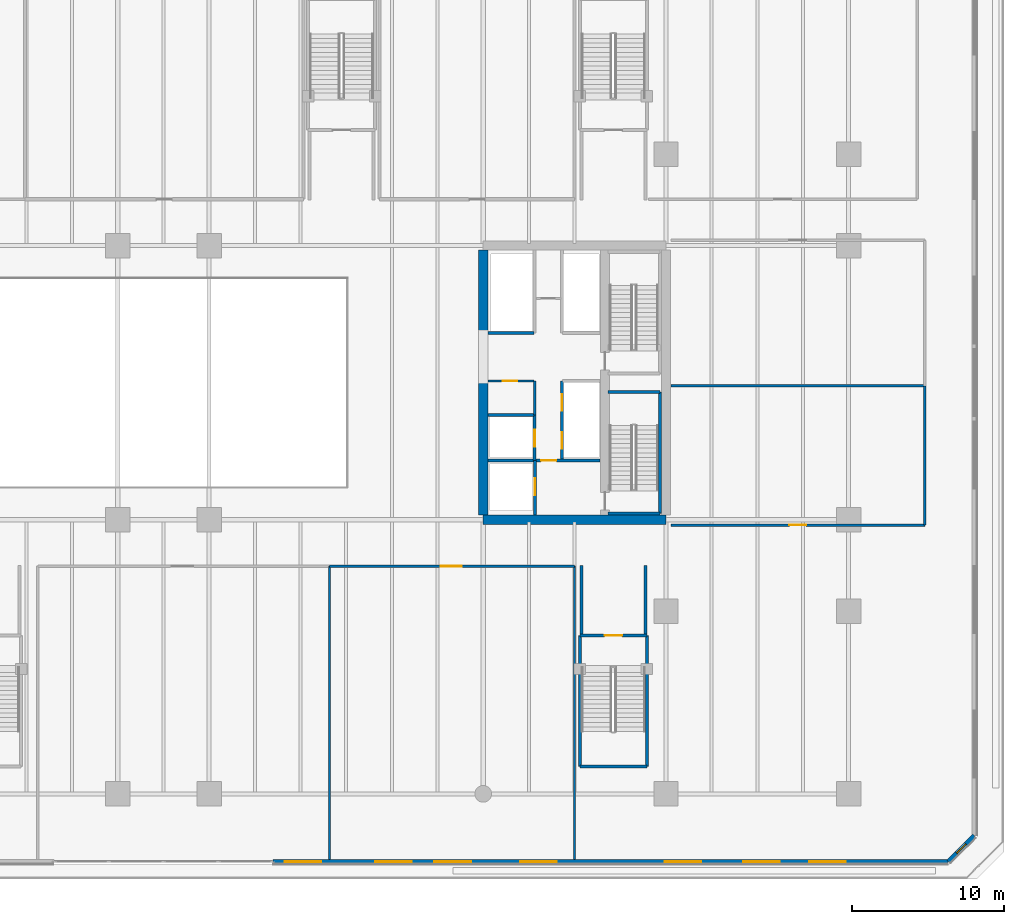
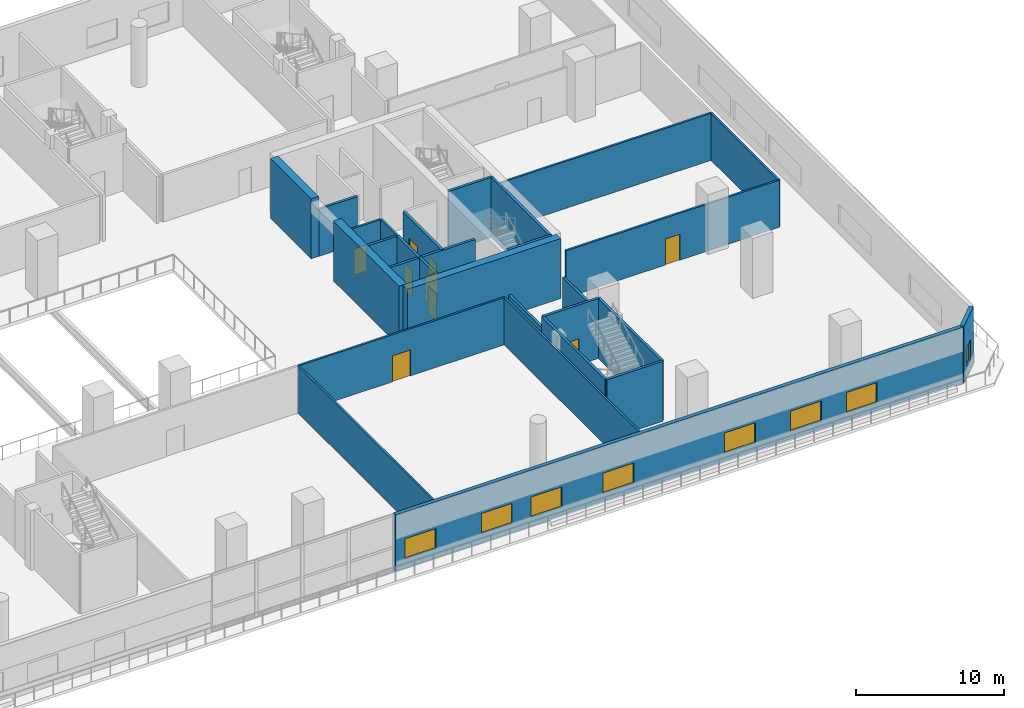
# One storey, part 14 of 27: 28 walls, 9 doors, 8 windows, 17 openings.
"""IFC4 building model written with IfcOpenShell, lengths in metres."""

from ifc_helpers import new_model, si_unit, direction, frame, frame_2d, origin, place, context, subcontext, project, spatial, rectangle, extrude, material, layer, layer_set, type_object, element, fill, save


model = new_model("IFC4")

# Units and contexts
model_context = context("Model", 3, precision=1e-05, world=origin(), true_north=direction((0.0, 1.0)))
body_context = subcontext(model_context, "Body", "Model", "MODEL_VIEW")
ifc_project = project(units=[si_unit("LENGTHUNIT", "METRE"), si_unit("AREAUNIT", "SQUARE_METRE"), si_unit("VOLUMEUNIT", "CUBIC_METRE"), si_unit("PLANEANGLEUNIT", "RADIAN"), si_unit("MASSUNIT", "GRAM", prefix="KILO")], contexts=[model_context])

# Site, building, storey
site_placement = place(None, origin())
site = spatial("IfcSite", under=ifc_project, at=site_placement, CompositionType="ELEMENT")
building_placement = place(site_placement, origin())
building = spatial("IfcBuilding", under=site, at=building_placement, Name="Tanjung Sevakor Pilgrim Tower", CompositionType="ELEMENT")
storey_placement = place(building_placement, frame((0.0, 0.0, 9.89990234375)))
storey = spatial("IfcBuildingStorey", under=building, at=storey_placement, Name="L03", CompositionType="ELEMENT", Elevation=9.89990234375)

# Walls
ifc_material_1 = material(Name="Concrete C60/75", Category="concrete")
ifc_layer_1 = layer(ifc_material_1, 0.60009765625)
ifc_layer_set_1 = layer_set([ifc_layer_1], Name="WALL-CW-600")
wall_type_1 = type_object("IfcWallType", Name="WALL-CW-600", PredefinedType="SHEAR", material=ifc_layer_set_1)
wall_1_placement = place(storey_placement, frame((78.0, 24.60009765625, 0.0), z_axis=(0.0, 0.0, 1.0), x_axis=(1.0, 0.0, 0.0)))
element("IfcWall", 1, at=wall_1_placement, inside=storey, type_object=wall_type_1, Name="L03 E Core South Shear Wall", PredefinedType="SHEAR", context=body_context, shape_type="SweptSolid", body=[
    extrude(rectangle(XDim=12.0, YDim=0.60009765625, at=frame_2d((6.0, 0.0))), origin(), (0.0, 0.0, 1.0), 4.9501953125),
])
wall_2_placement = place(storey_placement, frame((78.0, 24.89990234375, 0.0), z_axis=(0.0, 0.0, 1.0), x_axis=(0.0, 1.0, 0.0)))
element("IfcWall", 2, at=wall_2_placement, inside=storey, type_object=wall_type_1, Name="L03 E Core Inner Shear Wall South", PredefinedType="SHEAR", context=body_context, shape_type="SweptSolid", body=[
    extrude(rectangle(XDim=8.900146484375, YDim=0.60009765625, at=frame_2d((4.4501953125, 0.0))), origin(), (0.0, 0.0, 1.0), 4.9501953125),
])
wall_3_placement = place(storey_placement, frame((78.0, 36.800048828125, 0.0), z_axis=(0.0, 0.0, 1.0), x_axis=(0.0, 1.0, 0.0)))
element("IfcWall", 3, at=wall_3_placement, inside=storey, type_object=wall_type_1, Name="L03 E Core Inner Shear Wall North", PredefinedType="SHEAR", context=body_context, shape_type="SweptSolid", body=[
    extrude(rectangle(XDim=5.5, YDim=0.60009765625, at=frame_2d((2.75, 0.0))), origin(), (0.0, 0.0, 1.0), 4.9501953125),
])
ifc_material_2 = material(Name="Concrete C40/50", Category="concrete")
ifc_layer_2 = layer(ifc_material_2, 0.14990234375)
ifc_layer_set_2 = layer_set([ifc_layer_2], Name="WT-COMP-150")
wall_type_2 = type_object("IfcWallType", Name="WT-COMP-150", PredefinedType="SOLIDWALL", material=ifc_layer_set_2)
wall_4_placement = place(storey_placement, frame((81.3798828125, 31.47998046875, 0.0), z_axis=(0.0, 0.0, 1.0), x_axis=(0.0, 1.0, 0.0)))
element("IfcWall", 4, at=wall_4_placement, inside=storey, type_object=wall_type_2, Name="L03 Partition IW-L03-021", PredefinedType="SOLIDWALL", context=body_context, shape_type="SweptSolid", body=[
    extrude(rectangle(XDim=2.239990234375, YDim=0.14990234375, at=frame_2d((1.1201171875, 0.0))), origin(), (0.0, 0.0, 1.0), 3.889892578125),
])

# Wall, opening, door
wall_5_placement = place(storey_placement, frame((78.320068359375, 33.719970703125, 0.0), z_axis=(0.0, 0.0, 1.0), x_axis=(1.0, 0.0, 0.0)))
wall_5 = element("IfcWall", 5, at=wall_5_placement, inside=storey, type_object=wall_type_2, Name="L03 Partition IW-L03-022", PredefinedType="SOLIDWALL", context=body_context, shape_type="SweptSolid", body=[
    extrude(rectangle(XDim=3.0, YDim=0.14990234375, at=frame_2d((1.5, 0.0))), origin(), (0.0, 0.0, 1.0), 3.889892578125),
])
opening_1_placement = place(wall_5_placement, frame((0.949951171875, 0.0, 0.0)))
opening_1 = element("IfcOpeningElement", 6, at=opening_1_placement, cuts=wall_5, Name="Opening ID-FD2", PredefinedType="OPENING", context=body_context, shape_type="SweptSolid", body=[
    extrude(rectangle(XDim=0.949951171875, YDim=2.14990234375, at=frame_2d((0.47509765625, 1.074951171875))), frame((0.0, 0.0849609375, 0.0), z_axis=(0.0, -1.0, 0.0), x_axis=(1.0, 0.0, 0.0)), (0.0, 0.0, 1.0), 0.169921875),
])
ifc_material_3 = material(Name="Fire-Rated Timber", Category="wood")
door_type_1 = type_object("IfcDoorType", Name="DT-FIRE-950", OperationType="NOTDEFINED", PredefinedType="DOOR", material=ifc_material_3)
door_1_placement = place(opening_1_placement, origin())
door_1 = element("IfcDoor", 7, at=door_1_placement, inside=storey, type_object=door_type_1, Name="L03 Accessible WC Door", OperationType="SINGLE_SWING_LEFT", OverallHeight=2.14990234375, OverallWidth=0.949951171875, PredefinedType="DOOR", context=body_context, shape_type="SweptSolid", body=[
    extrude(rectangle(XDim=0.949951171875, YDim=2.14990234375, at=frame_2d((0.47509765625, 1.074951171875))), frame((0.0, 0.02490234375, 0.0), z_axis=(0.0, -1.0, 0.0), x_axis=(1.0, 0.0, 0.0)), (0.0, 0.0, 1.0), 0.050048828125),
])
fill(opening_1, door_1)

# Wall
wall_6_placement = place(storey_placement, frame((67.89990234375, 2.300048828125, 0.0), z_axis=(0.0, 0.0, 1.0), x_axis=(0.0, 1.0, 0.0)))
element("IfcWall", 8, at=wall_6_placement, inside=storey, type_object=wall_type_2, Name="L03 Partition IW-L03-046", PredefinedType="SOLIDWALL", context=body_context, shape_type="SweptSolid", body=[
    extrude(rectangle(XDim=19.25, YDim=0.14990234375, at=frame_2d((9.625, 0.0))), origin(), (0.0, 0.0, 1.0), 3.889892578125),
])

# Wall, opening, door
wall_7_placement = place(storey_placement, frame((67.89990234375, 21.550048828125, 0.0), z_axis=(0.0, 0.0, 1.0), x_axis=(1.0, 0.0, 0.0)))
wall_7 = element("IfcWall", 9, at=wall_7_placement, inside=storey, type_object=wall_type_2, Name="L03 Partition IW-L03-047", PredefinedType="SOLIDWALL", context=body_context, shape_type="SweptSolid", body=[
    extrude(rectangle(XDim=16.10009765625, YDim=0.14990234375, at=frame_2d((8.050048828125, 0.0))), origin(), (0.0, 0.0, 1.0), 3.889892578125),
])
opening_2_placement = place(wall_7_placement, frame((7.300048828125, 0.0, 0.0)))
opening_2 = element("IfcOpeningElement", 10, at=opening_2_placement, cuts=wall_7, Name="Opening ID-HD1", PredefinedType="OPENING", context=body_context, shape_type="SweptSolid", body=[
    extrude(rectangle(XDim=1.39990234375, YDim=2.14990234375, at=frame_2d((0.699951171875, 1.074951171875))), frame((0.0, 0.0849609375, 0.0), z_axis=(0.0, -1.0, 0.0), x_axis=(1.0, 0.0, 0.0)), (0.0, 0.0, 1.0), 0.169921875),
])
ifc_material_4 = material(Name="Hardwood Timber", Category="wood")
door_type_2 = type_object("IfcDoorType", Name="DT-INT-1400", OperationType="DOUBLE_DOOR_SINGLE_SWING", PredefinedType="DOOR", material=ifc_material_4)
door_2_placement = place(opening_2_placement, origin())
door_2 = element("IfcDoor", 11, at=door_2_placement, inside=storey, type_object=door_type_2, Name="L03 Banquet Door", OperationType="SINGLE_SWING_LEFT", OverallHeight=2.14990234375, OverallWidth=1.39990234375, PredefinedType="DOOR", context=body_context, shape_type="SweptSolid", body=[
    extrude(rectangle(XDim=1.39990234375, YDim=2.14990234375, at=frame_2d((0.699951171875, 1.074951171875))), frame((0.0, 0.02490234375, 0.0), z_axis=(0.0, -1.0, 0.0), x_axis=(1.0, 0.0, 0.0)), (0.0, 0.0, 1.0), 0.050048828125),
])
fill(opening_2, door_2)

# Wall
wall_8_placement = place(storey_placement, frame((84.0, 2.300048828125, 0.0), z_axis=(0.0, 0.0, 1.0), x_axis=(0.0, 1.0, 0.0)))
element("IfcWall", 12, at=wall_8_placement, inside=storey, type_object=wall_type_2, Name="L03 Partition IW-L03-048", PredefinedType="SOLIDWALL", context=body_context, shape_type="SweptSolid", body=[
    extrude(rectangle(XDim=19.25, YDim=0.14990234375, at=frame_2d((9.625, 0.0))), origin(), (0.0, 0.0, 1.0), 3.889892578125),
])

# Wall, opening, door
wall_9_placement = place(storey_placement, frame((90.320068359375, 24.25, 0.0), z_axis=(0.0, 0.0, 1.0), x_axis=(1.0, 0.0, 0.0)))
wall_9 = element("IfcWall", 13, at=wall_9_placement, inside=storey, type_object=wall_type_2, Name="L03 Partition IW-L03-057", PredefinedType="SOLIDWALL", context=body_context, shape_type="SweptSolid", body=[
    extrude(rectangle(XDim=16.679931640625, YDim=0.14990234375, at=frame_2d((8.33984375, 0.0))), origin(), (0.0, 0.0, 1.0), 3.889892578125),
])
opening_3_placement = place(wall_9_placement, frame((7.7900390625, 0.0, 0.0)))
opening_3 = element("IfcOpeningElement", 14, at=opening_3_placement, cuts=wall_9, Name="Opening ID-RM2", PredefinedType="OPENING", context=body_context, shape_type="SweptSolid", body=[
    extrude(rectangle(XDim=1.10009765625, YDim=2.14990234375, at=frame_2d((0.550048828125, 1.074951171875))), frame((0.0, 0.0849609375, 0.0), z_axis=(0.0, -1.0, 0.0), x_axis=(1.0, 0.0, 0.0)), (0.0, 0.0, 1.0), 0.169921875),
])
ifc_material_5 = material(Name="Hardwood Timber", Category="wood")
door_type_3 = type_object("IfcDoorType", Name="DT-INT-1100", OperationType="NOTDEFINED", PredefinedType="DOOR", material=ifc_material_5)
door_3_placement = place(opening_3_placement, origin())
door_3 = element("IfcDoor", 15, at=door_3_placement, inside=storey, type_object=door_type_3, Name="L03 Meeting Room 1 Door", OperationType="SINGLE_SWING_LEFT", OverallHeight=2.14990234375, OverallWidth=1.10009765625, PredefinedType="DOOR", context=body_context, shape_type="SweptSolid", body=[
    extrude(rectangle(XDim=1.10009765625, YDim=2.14990234375, at=frame_2d((0.550048828125, 1.074951171875))), frame((0.0, 0.02490234375, 0.0), z_axis=(0.0, -1.0, 0.0), x_axis=(1.0, 0.0, 0.0)), (0.0, 0.0, 1.0), 0.050048828125),
])
fill(opening_3, door_3)

# Walls
wall_10_placement = place(storey_placement, frame((90.320068359375, 33.39990234375, 0.0), z_axis=(0.0, 0.0, 1.0), x_axis=(1.0, 0.0, 0.0)))
element("IfcWall", 16, at=wall_10_placement, inside=storey, type_object=wall_type_2, Name="L03 Partition IW-L03-058", PredefinedType="SOLIDWALL", context=body_context, shape_type="SweptSolid", body=[
    extrude(rectangle(XDim=16.679931640625, YDim=0.14990234375, at=frame_2d((8.33984375, 0.0))), origin(), (0.0, 0.0, 1.0), 3.889892578125),
])
wall_11_placement = place(storey_placement, frame((107.0, 24.25, 0.0), z_axis=(0.0, 0.0, 1.0), x_axis=(0.0, 1.0, 0.0)))
element("IfcWall", 17, at=wall_11_placement, inside=storey, type_object=wall_type_2, Name="L03 Partition IW-L03-059", PredefinedType="SOLIDWALL", context=body_context, shape_type="SweptSolid", body=[
    extrude(rectangle(XDim=9.14990234375, YDim=0.14990234375, at=frame_2d((4.574951171875, 0.0))), origin(), (0.0, 0.0, 1.0), 3.889892578125),
])

# Wall, openings, windows
ifc_material_6 = material(Name="Precast concrete C45/55", Category="concrete")
ifc_layer_3 = layer(ifc_material_6, 0.300048828125)
ifc_layer_set_3 = layer_set([ifc_layer_3], Name="WT-EW-STN1")
wall_type_3 = type_object("IfcWallType", Name="WT-EW-STN1", PredefinedType="SOLIDWALL", material=ifc_layer_set_3)
wall_12_placement = place(storey_placement, frame((64.199951171875, 2.14990234375, 0.0), z_axis=(0.0, 0.0, 1.0), x_axis=(1.0, 0.0, 0.0)))
wall_12 = element("IfcWall", 18, at=wall_12_placement, inside=storey, type_object=wall_type_3, Name="L03 Cascading Podium Limestone Wall S2", PredefinedType="SOLIDWALL", context=body_context, shape_type="SweptSolid", body=[
    extrude(rectangle(XDim=44.337890625, YDim=0.300048828125, at=frame_2d((22.1689453125, 0.0))), origin(), (0.0, 0.0, 1.0), 4.669921875),
])
opening_4_placement = place(wall_12_placement, frame((0.760009765625, 0.0, 0.780029296875)))
opening_4 = element("IfcOpeningElement", 19, at=opening_4_placement, cuts=wall_12, Name="Opening WN-P1-1660", PredefinedType="OPENING", context=body_context, shape_type="SweptSolid", body=[
    extrude(rectangle(XDim=2.39990234375, YDim=1.659912109375, at=frame_2d((1.199951171875, 0.830078125))), frame((0.0, 0.159912109375, 0.0), z_axis=(0.0, -1.0, 0.0), x_axis=(1.0, 0.0, 0.0)), (0.0, 0.0, 1.0), 0.320068359375),
])
opening_5_placement = place(wall_12_placement, frame((10.60009765625, 0.0, 0.780029296875)))
opening_5 = element("IfcOpeningElement", 20, at=opening_5_placement, cuts=wall_12, Name="Opening WN-P1-1660", PredefinedType="OPENING", context=body_context, shape_type="SweptSolid", body=[
    extrude(rectangle(XDim=2.39990234375, YDim=1.659912109375, at=frame_2d((1.199951171875, 0.830078125))), frame((0.0, 0.159912109375, 0.0), z_axis=(0.0, -1.0, 0.0), x_axis=(1.0, 0.0, 0.0)), (0.0, 0.0, 1.0), 0.320068359375),
])
opening_6_placement = place(wall_12_placement, frame((30.868896484375, 0.0, 0.780029296875)))
opening_6 = element("IfcOpeningElement", 21, at=opening_6_placement, cuts=wall_12, Name="Opening WN-P1-1660", PredefinedType="OPENING", context=body_context, shape_type="SweptSolid", body=[
    extrude(rectangle(XDim=2.39990234375, YDim=1.659912109375, at=frame_2d((1.199951171875, 0.830078125))), frame((0.0, 0.159912109375, 0.0), z_axis=(0.0, -1.0, 0.0), x_axis=(1.0, 0.0, 0.0)), (0.0, 0.0, 1.0), 0.320068359375),
])
opening_7_placement = place(wall_12_placement, frame((6.718994140625, 0.0, 0.780029296875)))
opening_7 = element("IfcOpeningElement", 22, at=opening_7_placement, cuts=wall_12, Name="Opening WN-P1-1660", PredefinedType="OPENING", context=body_context, shape_type="SweptSolid", body=[
    extrude(rectangle(XDim=2.39990234375, YDim=1.659912109375, at=frame_2d((1.199951171875, 0.830078125))), frame((0.0, 0.159912109375, 0.0), z_axis=(0.0, -1.0, 0.0), x_axis=(1.0, 0.0, 0.0)), (0.0, 0.0, 1.0), 0.320068359375),
])
opening_8_placement = place(wall_12_placement, frame((16.218994140625, 0.0, 0.780029296875)))
opening_8 = element("IfcOpeningElement", 23, at=opening_8_placement, cuts=wall_12, Name="Opening WN-P1-1660", PredefinedType="OPENING", context=body_context, shape_type="SweptSolid", body=[
    extrude(rectangle(XDim=2.39990234375, YDim=1.659912109375, at=frame_2d((1.199951171875, 0.830078125))), frame((0.0, 0.159912109375, 0.0), z_axis=(0.0, -1.0, 0.0), x_axis=(1.0, 0.0, 0.0)), (0.0, 0.0, 1.0), 0.320068359375),
])
opening_9_placement = place(wall_12_placement, frame((25.718994140625, 0.0, 0.780029296875)))
opening_9 = element("IfcOpeningElement", 24, at=opening_9_placement, cuts=wall_12, Name="Opening WN-P1-1660", PredefinedType="OPENING", context=body_context, shape_type="SweptSolid", body=[
    extrude(rectangle(XDim=2.39990234375, YDim=1.659912109375, at=frame_2d((1.199951171875, 0.830078125))), frame((0.0, 0.159912109375, 0.0), z_axis=(0.0, -1.0, 0.0), x_axis=(1.0, 0.0, 0.0)), (0.0, 0.0, 1.0), 0.320068359375),
])
opening_10_placement = place(wall_12_placement, frame((35.218994140625, 0.0, 0.780029296875)))
opening_10 = element("IfcOpeningElement", 25, at=opening_10_placement, cuts=wall_12, Name="Opening WN-P1-1660", PredefinedType="OPENING", context=body_context, shape_type="SweptSolid", body=[
    extrude(rectangle(XDim=2.39990234375, YDim=1.659912109375, at=frame_2d((1.199951171875, 0.830078125))), frame((0.0, 0.159912109375, 0.0), z_axis=(0.0, -1.0, 0.0), x_axis=(1.0, 0.0, 0.0)), (0.0, 0.0, 1.0), 0.320068359375),
])
ifc_material_7 = material(Name="Thermally Broken Aluminium and Low-E Glass", Category="aluminium")
window_type_1 = type_object("IfcWindowType", Name="WTYP-WN-P1-1660", PartitioningType="DOUBLE_PANEL_VERTICAL", PredefinedType="WINDOW", material=ifc_material_7)
window_1_placement = place(opening_4_placement, origin())
window_1 = element("IfcWindow", 26, at=window_1_placement, inside=storey, type_object=window_type_1, Name="L03 Facade Window 01", OverallHeight=1.659912109375, OverallWidth=2.39990234375, PartitioningType="SINGLE_PANEL", PredefinedType="WINDOW", context=body_context, shape_type="SweptSolid", body=[
    extrude(rectangle(XDim=2.39990234375, YDim=1.659912109375, at=frame_2d((1.199951171875, 0.830078125))), frame((0.0, 0.030029296875, 0.0), z_axis=(0.0, -1.0, 0.0), x_axis=(1.0, 0.0, 0.0)), (0.0, 0.0, 1.0), 0.06005859375),
])
fill(opening_4, window_1)
window_2_placement = place(opening_5_placement, origin())
window_2 = element("IfcWindow", 27, at=window_2_placement, inside=storey, type_object=window_type_1, Name="L03 Facade Window 02", OverallHeight=1.659912109375, OverallWidth=2.39990234375, PartitioningType="SINGLE_PANEL", PredefinedType="WINDOW", context=body_context, shape_type="SweptSolid", body=[
    extrude(rectangle(XDim=2.39990234375, YDim=1.659912109375, at=frame_2d((1.199951171875, 0.830078125))), frame((0.0, 0.030029296875, 0.0), z_axis=(0.0, -1.0, 0.0), x_axis=(1.0, 0.0, 0.0)), (0.0, 0.0, 1.0), 0.06005859375),
])
fill(opening_5, window_2)
window_3_placement = place(opening_6_placement, origin())
window_3 = element("IfcWindow", 28, at=window_3_placement, inside=storey, type_object=window_type_1, Name="L03 Facade Window 03", OverallHeight=1.659912109375, OverallWidth=2.39990234375, PartitioningType="SINGLE_PANEL", PredefinedType="WINDOW", context=body_context, shape_type="SweptSolid", body=[
    extrude(rectangle(XDim=2.39990234375, YDim=1.659912109375, at=frame_2d((1.199951171875, 0.830078125))), frame((0.0, 0.030029296875, 0.0), z_axis=(0.0, -1.0, 0.0), x_axis=(1.0, 0.0, 0.0)), (0.0, 0.0, 1.0), 0.06005859375),
])
fill(opening_6, window_3)
window_4_placement = place(opening_7_placement, origin())
window_4 = element("IfcWindow", 29, at=window_4_placement, inside=storey, type_object=window_type_1, Name="L03 Facade Window 04", OverallHeight=1.659912109375, OverallWidth=2.39990234375, PartitioningType="SINGLE_PANEL", PredefinedType="WINDOW", context=body_context, shape_type="SweptSolid", body=[
    extrude(rectangle(XDim=2.39990234375, YDim=1.659912109375, at=frame_2d((1.199951171875, 0.830078125))), frame((0.0, 0.030029296875, 0.0), z_axis=(0.0, -1.0, 0.0), x_axis=(1.0, 0.0, 0.0)), (0.0, 0.0, 1.0), 0.06005859375),
])
fill(opening_7, window_4)
window_5_placement = place(opening_8_placement, origin())
window_5 = element("IfcWindow", 30, at=window_5_placement, inside=storey, type_object=window_type_1, Name="L03 Facade Window 05", OverallHeight=1.659912109375, OverallWidth=2.39990234375, PartitioningType="SINGLE_PANEL", PredefinedType="WINDOW", context=body_context, shape_type="SweptSolid", body=[
    extrude(rectangle(XDim=2.39990234375, YDim=1.659912109375, at=frame_2d((1.199951171875, 0.830078125))), frame((0.0, 0.030029296875, 0.0), z_axis=(0.0, -1.0, 0.0), x_axis=(1.0, 0.0, 0.0)), (0.0, 0.0, 1.0), 0.06005859375),
])
fill(opening_8, window_5)
window_6_placement = place(opening_9_placement, origin())
window_6 = element("IfcWindow", 31, at=window_6_placement, inside=storey, type_object=window_type_1, Name="L03 Facade Window 06", OverallHeight=1.659912109375, OverallWidth=2.39990234375, PartitioningType="SINGLE_PANEL", PredefinedType="WINDOW", context=body_context, shape_type="SweptSolid", body=[
    extrude(rectangle(XDim=2.39990234375, YDim=1.659912109375, at=frame_2d((1.199951171875, 0.830078125))), frame((0.0, 0.030029296875, 0.0), z_axis=(0.0, -1.0, 0.0), x_axis=(1.0, 0.0, 0.0)), (0.0, 0.0, 1.0), 0.06005859375),
])
fill(opening_9, window_6)
window_7_placement = place(opening_10_placement, origin())
window_7 = element("IfcWindow", 32, at=window_7_placement, inside=storey, type_object=window_type_1, Name="L03 Facade Window 07", OverallHeight=1.659912109375, OverallWidth=2.39990234375, PartitioningType="SINGLE_PANEL", PredefinedType="WINDOW", context=body_context, shape_type="SweptSolid", body=[
    extrude(rectangle(XDim=2.39990234375, YDim=1.659912109375, at=frame_2d((1.199951171875, 0.830078125))), frame((0.0, 0.030029296875, 0.0), z_axis=(0.0, -1.0, 0.0), x_axis=(1.0, 0.0, 0.0)), (0.0, 0.0, 1.0), 0.06005859375),
])
fill(opening_10, window_7)

# Wall, opening, window
wall_13_placement = place(storey_placement, frame((108.537841796875, 2.14990234375, 0.0), z_axis=(0.0, 0.0, 1.0), x_axis=(0.707106781187, 0.707106781187, 0.0)))
wall_13 = element("IfcWall", 33, at=wall_13_placement, inside=storey, type_object=wall_type_3, Name="L03 MAIN Exterior Wall 2", PredefinedType="SOLIDWALL", context=body_context, shape_type="SweptSolid", body=[
    extrude(rectangle(XDim=2.42138671875, YDim=0.300048828125, at=frame_2d((1.210693359375, 0.0))), origin(), (0.0, 0.0, 1.0), 4.669921875),
])
opening_11_placement = place(wall_13_placement, frame((0.78564453125, 0.0, 0.780029296875)))
opening_11 = element("IfcOpeningElement", 34, at=opening_11_placement, cuts=wall_13, Name="Opening WN-SLM", PredefinedType="OPENING", context=body_context, shape_type="SweptSolid", body=[
    extrude(rectangle(XDim=0.85009765625, YDim=1.64990234375, at=frame_2d((0.425048828125, 0.824951171875))), frame((0.0, 0.159912109375, 0.0), z_axis=(0.0, -1.0, 0.0), x_axis=(1.0, 0.0, 0.0)), (0.0, 0.0, 1.0), 0.320068359375),
])
ifc_material_8 = material(Name="Thermally Broken Aluminium and Low-E Glass", Category="aluminium")
window_type_2 = type_object("IfcWindowType", Name="WTYP-WN-SLM", PartitioningType="SINGLE_PANEL", PredefinedType="WINDOW", material=ifc_material_8)
window_8_placement = place(opening_11_placement, origin())
window_8 = element("IfcWindow", 35, at=window_8_placement, inside=storey, type_object=window_type_2, Name="L03 Facade Window 01", OverallHeight=1.64990234375, OverallWidth=0.85009765625, PartitioningType="SINGLE_PANEL", PredefinedType="WINDOW", context=body_context, shape_type="SweptSolid", body=[
    extrude(rectangle(XDim=0.85009765625, YDim=1.64990234375, at=frame_2d((0.425048828125, 0.824951171875))), frame((0.0, 0.030029296875, 0.0), z_axis=(0.0, -1.0, 0.0), x_axis=(1.0, 0.0, 0.0)), (0.0, 0.0, 1.0), 0.06005859375),
])
fill(opening_11, window_8)

# Walls
ifc_material_9 = material(Name="Concrete C40/50", Category="concrete")
ifc_layer_4 = layer(ifc_material_9, 0.199951171875)
ifc_layer_set_4 = layer_set([ifc_layer_4], Name="WT-FIRE-200")
wall_type_4 = type_object("IfcWallType", Name="WT-FIRE-200", PredefinedType="SOLIDWALL", material=ifc_layer_set_4)
wall_14_placement = place(storey_placement, frame((86.199951171875, 25.0, 0.0), z_axis=(0.0, 0.0, 1.0), x_axis=(1.0, 0.0, 0.0)))
element("IfcWall", 36, at=wall_14_placement, inside=storey, type_object=wall_type_4, Name="L03 TS-E1 Shaft Wall 1", PredefinedType="SOLIDWALL", context=body_context, shape_type="SweptSolid", body=[
    extrude(rectangle(XDim=3.400146484375, YDim=0.199951171875, at=frame_2d((1.7001953125, 0.0))), origin(), (0.0, 0.0, 1.0), 4.9501953125),
])
wall_15_placement = place(storey_placement, frame((89.60009765625, 25.0, 0.0), z_axis=(0.0, 0.0, 1.0), x_axis=(0.0, 1.0, 0.0)))
element("IfcWall", 37, at=wall_15_placement, inside=storey, type_object=wall_type_4, Name="L03 TS-E1 Shaft Wall 2", PredefinedType="SOLIDWALL", context=body_context, shape_type="SweptSolid", body=[
    extrude(rectangle(XDim=8.0, YDim=0.199951171875, at=frame_2d((4.0, 0.0))), origin(), (0.0, 0.0, 1.0), 4.9501953125),
])
wall_16_placement = place(storey_placement, frame((89.60009765625, 33.0, 0.0), z_axis=(0.0, 0.0, 1.0), x_axis=(-1.0, 0.0, 0.0)))
element("IfcWall", 38, at=wall_16_placement, inside=storey, type_object=wall_type_4, Name="L03 TS-E1 Shaft Wall 3", PredefinedType="SOLIDWALL", context=body_context, shape_type="SweptSolid", body=[
    extrude(rectangle(XDim=3.400146484375, YDim=0.199951171875, at=frame_2d((1.7001953125, 0.0))), origin(), (0.0, 0.0, 1.0), 4.9501953125),
])
wall_17_placement = place(storey_placement, frame((84.35009765625, 8.39990234375, 0.0), z_axis=(0.0, 0.0, 1.0), x_axis=(1.0, 0.0, 0.0)))
element("IfcWall", 39, at=wall_17_placement, inside=storey, type_object=wall_type_4, Name="L03 PS-5 Shaft Wall 1", PredefinedType="SOLIDWALL", context=body_context, shape_type="SweptSolid", body=[
    extrude(rectangle(XDim=4.39990234375, YDim=0.199951171875, at=frame_2d((2.199951171875, 0.0))), origin(), (0.0, 0.0, 1.0), 4.9501953125),
])
wall_18_placement = place(storey_placement, frame((88.75, 8.39990234375, 0.0), z_axis=(0.0, 0.0, 1.0), x_axis=(0.0, 1.0, 0.0)))
element("IfcWall", 40, at=wall_18_placement, inside=storey, type_object=wall_type_4, Name="L03 PS-5 Shaft Wall 2", PredefinedType="SOLIDWALL", context=body_context, shape_type="SweptSolid", body=[
    extrude(rectangle(XDim=8.60009765625, YDim=0.199951171875, at=frame_2d((4.300048828125, 0.0))), origin(), (0.0, 0.0, 1.0), 4.9501953125),
])

# Wall, opening, door
wall_19_placement = place(storey_placement, frame((88.75, 17.0, 0.0), z_axis=(0.0, 0.0, 1.0), x_axis=(-1.0, 0.0, 0.0)))
wall_19 = element("IfcWall", 41, at=wall_19_placement, inside=storey, type_object=wall_type_4, Name="L03 PS-5 Shaft Wall 3", PredefinedType="SOLIDWALL", context=body_context, shape_type="SweptSolid", body=[
    extrude(rectangle(XDim=4.39990234375, YDim=0.199951171875, at=frame_2d((2.199951171875, 0.0))), origin(), (0.0, 0.0, 1.0), 4.9501953125),
])
opening_12_placement = place(wall_19_placement, frame((1.625, 0.0, 0.0)))
opening_12 = element("IfcOpeningElement", 42, at=opening_12_placement, cuts=wall_19, Name="Opening ID-ST1", PredefinedType="OPENING", context=body_context, shape_type="SweptSolid", body=[
    extrude(rectangle(XDim=1.14990234375, YDim=2.14990234375, at=frame_2d((0.574951171875, 1.074951171875))), frame((0.0, 0.10986328125, 0.0), z_axis=(0.0, -1.0, 0.0), x_axis=(1.0, 0.0, 0.0)), (0.0, 0.0, 1.0), 0.219970703125),
])
ifc_material_10 = material(Name="Fire-Rated Steel S355J2", Category="steel")
door_type_4 = type_object("IfcDoorType", Name="DT-FIRE-1150", OperationType="NOTDEFINED", PredefinedType="DOOR", material=ifc_material_10)
door_4_placement = place(opening_12_placement, origin())
door_4 = element("IfcDoor", 43, at=door_4_placement, inside=storey, type_object=door_type_4, Name="L03 PS-5 Stair Entry Fire Door", OperationType="SINGLE_SWING_RIGHT", OverallHeight=2.14990234375, OverallWidth=1.14990234375, PredefinedType="DOOR", context=body_context, shape_type="SweptSolid", body=[
    extrude(rectangle(XDim=1.14990234375, YDim=2.14990234375, at=frame_2d((0.574951171875, 1.074951171875))), frame((0.0, 0.02490234375, 0.0), z_axis=(0.0, -1.0, 0.0), x_axis=(1.0, 0.0, 0.0)), (0.0, 0.0, 1.0), 0.050048828125),
])
fill(opening_12, door_4)

# Wall
wall_20_placement = place(storey_placement, frame((84.35009765625, 17.0, 0.0), z_axis=(0.0, 0.0, 1.0), x_axis=(0.0, -1.0, 0.0)))
element("IfcWall", 44, at=wall_20_placement, inside=storey, type_object=wall_type_4, Name="L03 PS-5 Shaft Wall 4", PredefinedType="SOLIDWALL", context=body_context, shape_type="SweptSolid", body=[
    extrude(rectangle(XDim=8.60009765625, YDim=0.199951171875, at=frame_2d((4.300048828125, 0.0))), origin(), (0.0, 0.0, 1.0), 4.9501953125),
])

# Wall, opening, door
ifc_material_11 = material(Name="Concrete C40/50", Category="concrete")
ifc_layer_5 = layer(ifc_material_11, 0.199951171875)
ifc_layer_set_5 = layer_set([ifc_layer_5], Name="WT-FPRT-200")
wall_type_5 = type_object("IfcWallType", Name="WT-FPRT-200", PredefinedType="SOLIDWALL", material=ifc_layer_set_5)
wall_21_placement = place(storey_placement, frame((81.39990234375, 24.919921875, 0.0), z_axis=(0.0, 0.0, 1.0), x_axis=(0.0, 1.0, 0.0)))
wall_21 = element("IfcWall", 45, at=wall_21_placement, inside=storey, type_object=wall_type_5, Name="L03 Partition IW-L03-014", PredefinedType="SOLIDWALL", context=body_context, shape_type="SweptSolid", body=[
    extrude(rectangle(XDim=3.580078125, YDim=0.199951171875, at=frame_2d((1.7900390625, 0.0))), origin(), (0.0, 0.0, 1.0), 3.889892578125),
])
opening_13_placement = place(wall_21_placement, frame((1.300048828125, 0.0, 0.0)))
opening_13 = element("IfcOpeningElement", 46, at=opening_13_placement, cuts=wall_21, Name="Opening LD-1100", PredefinedType="OPENING", context=body_context, shape_type="SweptSolid", body=[
    extrude(rectangle(XDim=1.10009765625, YDim=2.199951171875, at=frame_2d((0.550048828125, 1.10009765625))), frame((0.0, 0.10986328125, 0.0), z_axis=(0.0, -1.0, 0.0), x_axis=(1.0, 0.0, 0.0)), (0.0, 0.0, 1.0), 0.219970703125),
])
ifc_material_12 = material(Name="Brushed Stainless Steel S355J2", Category="steel")
door_type_5 = type_object("IfcDoorType", Name="DT-LIFT-1100", OperationType="SLIDING_TO_LEFT", PredefinedType="DOOR", material=ifc_material_12)
door_5_placement = place(opening_13_placement, origin())
door_5 = element("IfcDoor", 47, at=door_5_placement, inside=storey, type_object=door_type_5, Name="LD-FL-E", OperationType="SLIDING_TO_LEFT", OverallHeight=2.199951171875, OverallWidth=1.10009765625, PredefinedType="DOOR", context=body_context, shape_type="SweptSolid", body=[
    extrude(rectangle(XDim=1.10009765625, YDim=2.199951171875, at=frame_2d((0.550048828125, 1.10009765625))), frame((0.0, 0.02490234375, 0.0), z_axis=(0.0, -1.0, 0.0), x_axis=(1.0, 0.0, 0.0)), (0.0, 0.0, 1.0), 0.050048828125),
])
fill(opening_13, door_5)

wall_22_placement = place(storey_placement, frame((78.320068359375, 28.5, 0.0), z_axis=(0.0, 0.0, 1.0), x_axis=(1.0, 0.0, 0.0)))
wall_22 = element("IfcWall", 48, at=wall_22_placement, inside=storey, type_object=wall_type_5, Name="L03 Partition IW-L03-015", PredefinedType="SOLIDWALL", context=body_context, shape_type="SweptSolid", body=[
    extrude(rectangle(XDim=7.35986328125, YDim=0.199951171875, at=frame_2d((3.679931640625, 0.0))), origin(), (0.0, 0.0, 1.0), 3.889892578125),
])
opening_14_placement = place(wall_22_placement, frame((3.47998046875, 0.0, 0.0)))
opening_14 = element("IfcOpeningElement", 49, at=opening_14_placement, cuts=wall_22, Name="Opening ID-FD1", PredefinedType="OPENING", context=body_context, shape_type="SweptSolid", body=[
    extrude(rectangle(XDim=1.0, YDim=2.14990234375, at=frame_2d((0.5, 1.074951171875))), frame((0.0, 0.10986328125, 0.0), z_axis=(0.0, -1.0, 0.0), x_axis=(1.0, 0.0, 0.0)), (0.0, 0.0, 1.0), 0.219970703125),
])
ifc_material_13 = material(Name="Fire-Rated Steel S355J2", Category="steel")
door_type_6 = type_object("IfcDoorType", Name="DT-FIRE-1000", OperationType="NOTDEFINED", PredefinedType="DOOR", material=ifc_material_13)
door_6_placement = place(opening_14_placement, origin())
door_6 = element("IfcDoor", 50, at=door_6_placement, inside=storey, type_object=door_type_6, Name="Fire Lobby Door E", OperationType="SINGLE_SWING_RIGHT", OverallHeight=2.14990234375, OverallWidth=1.0, PredefinedType="DOOR", context=body_context, shape_type="SweptSolid", body=[
    extrude(rectangle(XDim=1.0, YDim=2.14990234375, at=frame_2d((0.5, 1.074951171875))), frame((0.0, 0.02490234375, 0.0), z_axis=(0.0, -1.0, 0.0), x_axis=(1.0, 0.0, 0.0)), (0.0, 0.0, 1.0), 0.050048828125),
])
fill(opening_14, door_6)

# Wall, openings, doors
wall_23_placement = place(storey_placement, frame((83.179931640625, 28.5, 0.0), z_axis=(0.0, 0.0, 1.0), x_axis=(0.0, 1.0, 0.0)))
wall_23 = element("IfcWall", 51, at=wall_23_placement, inside=storey, type_object=wall_type_5, Name="L03 Partition IW-L03-018", PredefinedType="SOLIDWALL", context=body_context, shape_type="SweptSolid", body=[
    extrude(rectangle(XDim=5.219970703125, YDim=0.199951171875, at=frame_2d((2.60986328125, 0.0))), origin(), (0.0, 0.0, 1.0), 3.889892578125),
])
opening_15_placement = place(wall_23_placement, frame((0.75, 0.0, 0.0)))
opening_15 = element("IfcOpeningElement", 52, at=opening_15_placement, cuts=wall_23, Name="Opening LD-1100", PredefinedType="OPENING", context=body_context, shape_type="SweptSolid", body=[
    extrude(rectangle(XDim=1.10009765625, YDim=2.199951171875, at=frame_2d((0.550048828125, 1.10009765625))), frame((0.0, 0.10986328125, 0.0), z_axis=(0.0, -1.0, 0.0), x_axis=(1.0, 0.0, 0.0)), (0.0, 0.0, 1.0), 0.219970703125),
])
opening_16_placement = place(wall_23_placement, frame((3.25, 0.0, 0.0)))
opening_16 = element("IfcOpeningElement", 53, at=opening_16_placement, cuts=wall_23, Name="Opening LD-1100", PredefinedType="OPENING", context=body_context, shape_type="SweptSolid", body=[
    extrude(rectangle(XDim=1.10009765625, YDim=2.199951171875, at=frame_2d((0.550048828125, 1.10009765625))), frame((0.0, 0.10986328125, 0.0), z_axis=(0.0, -1.0, 0.0), x_axis=(1.0, 0.0, 0.0)), (0.0, 0.0, 1.0), 0.219970703125),
])
door_7_placement = place(opening_15_placement, origin())
door_7 = element("IfcDoor", 54, at=door_7_placement, inside=storey, type_object=door_type_5, Name="LD-PLL1-E", OperationType="SLIDING_TO_LEFT", OverallHeight=2.199951171875, OverallWidth=1.10009765625, PredefinedType="DOOR", context=body_context, shape_type="SweptSolid", body=[
    extrude(rectangle(XDim=1.10009765625, YDim=2.199951171875, at=frame_2d((0.550048828125, 1.10009765625))), frame((0.0, 0.02490234375, 0.0), z_axis=(0.0, -1.0, 0.0), x_axis=(1.0, 0.0, 0.0)), (0.0, 0.0, 1.0), 0.050048828125),
])
fill(opening_15, door_7)
door_8_placement = place(opening_16_placement, origin())
door_8 = element("IfcDoor", 55, at=door_8_placement, inside=storey, type_object=door_type_5, Name="LD-PLL2-E", OperationType="SLIDING_TO_RIGHT", OverallHeight=2.199951171875, OverallWidth=1.10009765625, PredefinedType="DOOR", context=body_context, shape_type="SweptSolid", body=[
    extrude(rectangle(XDim=1.10009765625, YDim=2.199951171875, at=frame_2d((0.550048828125, 1.10009765625))), frame((0.0, 0.02490234375, 0.0), z_axis=(0.0, -1.0, 0.0), x_axis=(1.0, 0.0, 0.0)), (0.0, 0.0, 1.0), 0.050048828125),
])
fill(opening_16, door_8)

# Wall
wall_24_placement = place(storey_placement, frame((78.320068359375, 31.47998046875, 0.0), z_axis=(0.0, 0.0, 1.0), x_axis=(1.0, 0.0, 0.0)))
element("IfcWall", 56, at=wall_24_placement, inside=storey, type_object=wall_type_5, Name="L03 Partition IW-L03-019", PredefinedType="SOLIDWALL", context=body_context, shape_type="SweptSolid", body=[
    extrude(rectangle(XDim=3.0, YDim=0.199951171875, at=frame_2d((1.5, 0.0))), origin(), (0.0, 0.0, 1.0), 3.889892578125),
])

# Wall, opening, door
wall_25_placement = place(storey_placement, frame((81.3798828125, 28.5, 0.0), z_axis=(0.0, 0.0, 1.0), x_axis=(0.0, 1.0, 0.0)))
wall_25 = element("IfcWall", 57, at=wall_25_placement, inside=storey, type_object=wall_type_5, Name="L03 Partition IW-L03-020", PredefinedType="SOLIDWALL", context=body_context, shape_type="SweptSolid", body=[
    extrude(rectangle(XDim=2.97998046875, YDim=0.199951171875, at=frame_2d((1.489990234375, 0.0))), origin(), (0.0, 0.0, 1.0), 3.889892578125),
])
opening_17_placement = place(wall_25_placement, frame((0.89990234375, 0.0, 0.0)))
opening_17 = element("IfcOpeningElement", 58, at=opening_17_placement, cuts=wall_25, Name="Opening LD-1100", PredefinedType="OPENING", context=body_context, shape_type="SweptSolid", body=[
    extrude(rectangle(XDim=1.10009765625, YDim=2.199951171875, at=frame_2d((0.550048828125, 1.10009765625))), frame((0.0, 0.10986328125, 0.0), z_axis=(0.0, -1.0, 0.0), x_axis=(1.0, 0.0, 0.0)), (0.0, 0.0, 1.0), 0.219970703125),
])
door_9_placement = place(opening_17_placement, origin())
door_9 = element("IfcDoor", 59, at=door_9_placement, inside=storey, type_object=door_type_5, Name="LD-SLP-E", OperationType="SLIDING_TO_LEFT", OverallHeight=2.199951171875, OverallWidth=1.10009765625, PredefinedType="DOOR", context=body_context, shape_type="SweptSolid", body=[
    extrude(rectangle(XDim=1.10009765625, YDim=2.199951171875, at=frame_2d((0.550048828125, 1.10009765625))), frame((0.0, 0.02490234375, 0.0), z_axis=(0.0, -1.0, 0.0), x_axis=(1.0, 0.0, 0.0)), (0.0, 0.0, 1.0), 0.050048828125),
])
fill(opening_17, door_9)

# Walls
wall_26_placement = place(storey_placement, frame((78.320068359375, 36.8798828125, 0.0), z_axis=(0.0, 0.0, 1.0), x_axis=(1.0, 0.0, 0.0)))
element("IfcWall", 60, at=wall_26_placement, inside=storey, type_object=wall_type_5, Name="L03 Partition IW-L03-025", PredefinedType="SOLIDWALL", context=body_context, shape_type="SweptSolid", body=[
    extrude(rectangle(XDim=3.0, YDim=0.199951171875, at=frame_2d((1.5, 0.0))), origin(), (0.0, 0.0, 1.0), 3.889892578125),
])
for number, where, z_axis, x_axis, name in (
    (61, (84.449951171875, 17.0, 0.0), (0.0, 0.0, 1.0), (0.0, 1.0, 0.0), "L03 Partition IW-L03-031"),
    (62, (88.64990234375, 17.0, 0.0), (0.0, 0.0, 1.0), (0.0, 1.0, 0.0), "L03 Partition IW-L03-032"),
):
    element("IfcWall", number, at=place(storey_placement, frame(where, z_axis=z_axis, x_axis=x_axis)), inside=storey, type_object=wall_type_5, Name=name, PredefinedType="SOLIDWALL", context=body_context, shape_type="SweptSolid", body=[
        extrude(rectangle(XDim=4.60009765625, YDim=0.199951171875, at=frame_2d((2.300048828125, 0.0))), origin(), (0.0, 0.0, 1.0), 3.889892578125),
    ])

save(model, "model.ifc")
